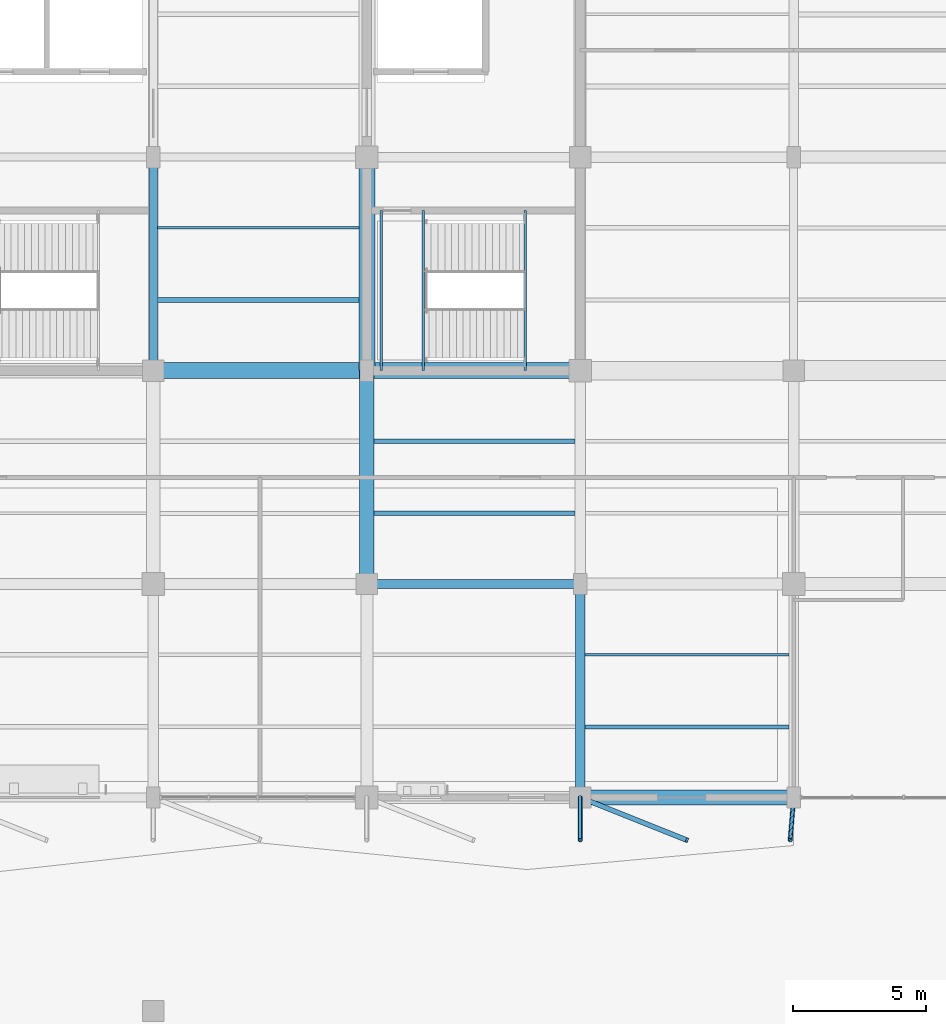
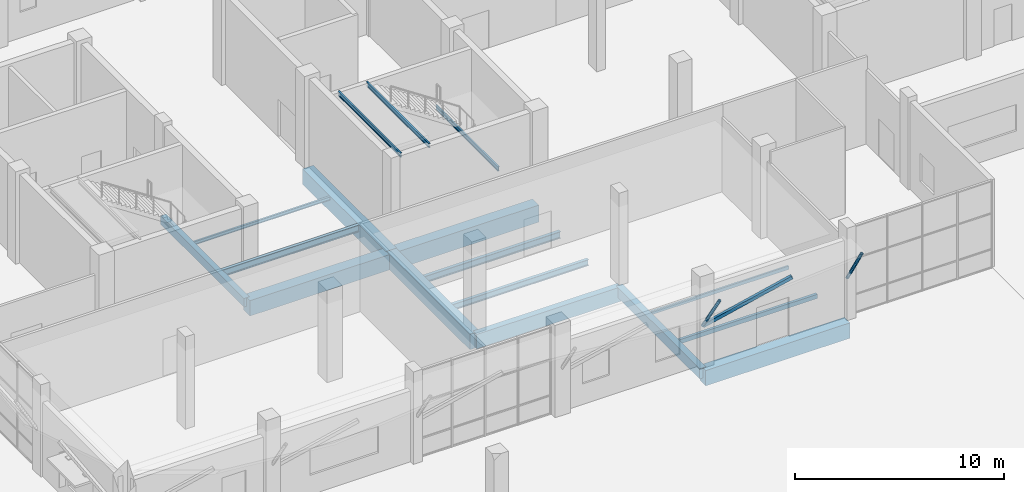
# One storey, part 36 of 123: 17 beams, 3 members.
"""IFC4 building model written with IfcOpenShell, lengths in metres."""

from ifc_helpers import new_model, si_unit, direction, frame, origin, origin_2d, place, context, subcontext, project, spatial, rectangle, hollow_rectangle, hollow_circle, i_section, extrude, material, material_profile, profile_set, type_object, element, save


model = new_model("IFC4")

# Units and contexts
model_context = context("Model", 3, precision=1e-05, world=origin(), true_north=direction((0.0, 1.0)))
body_context = subcontext(model_context, "Body", "Model", "MODEL_VIEW")
ifc_project = project(units=[si_unit("LENGTHUNIT", "METRE"), si_unit("AREAUNIT", "SQUARE_METRE"), si_unit("VOLUMEUNIT", "CUBIC_METRE"), si_unit("PLANEANGLEUNIT", "RADIAN"), si_unit("MASSUNIT", "GRAM", prefix="KILO")], contexts=[model_context])

# Site, building, storey
site_placement = place(None, origin())
site = spatial("IfcSite", under=ifc_project, at=site_placement, CompositionType="ELEMENT")
building_placement = place(site_placement, origin())
building = spatial("IfcBuilding", under=site, at=building_placement, Name="Tenunan Teduh Sports Hall", CompositionType="ELEMENT")
storey_placement = place(building_placement, origin())
storey = spatial("IfcBuildingStorey", under=building, at=storey_placement, Name="L00", CompositionType="ELEMENT", Elevation=0.0)

# Beams
ifc_material_1 = material(Name="Concrete C40/50", Category="concrete")
ifc_material_profile_1 = material_profile(ifc_material_1, rectangle(XDim=0.300048828125, YDim=0.5, at=origin_2d()), Name="RCB 300x500")
ifc_profile_set_1 = profile_set([ifc_material_profile_1], Name="Concrete C40/50")
beam_type_1 = type_object("IfcBeamType", Name="BM-RC-300x500", PredefinedType="BEAM", material=ifc_profile_set_1)
beam_1_placement = place(storey_placement, frame((22.0, 94.0, -0.530029296875), z_axis=(0.0, 1.0, 0.0), x_axis=(-1.0, 0.0, 0.0)))
element("IfcBeam", 1, at=beam_1_placement, inside=storey, type_object=beam_type_1, Name="BM-B-01-L00-0780", PredefinedType="BEAM", context=body_context, shape_type="SweptSolid", body=[
    extrude(rectangle(XDim=0.300048828125, YDim=0.5, at=origin_2d()), origin(), (0.0, 0.0, 1.0), 8.0),
])
ifc_material_2 = material(Name="Concrete C40/50", Category="concrete")
ifc_material_profile_2 = material_profile(ifc_material_2, rectangle(XDim=0.35009765625, YDim=0.60009765625, at=origin_2d()), Name="RCB 350x600")
ifc_profile_set_2 = profile_set([ifc_material_profile_2], Name="Concrete C40/50")
beam_type_2 = type_object("IfcBeamType", Name="BM-RC-350x600", PredefinedType="BEAM", material=ifc_profile_set_2)
beam_2_placement = place(storey_placement, frame((38.0, 78.0, -0.580078125), z_axis=(0.0, 1.0, 0.0), x_axis=(-1.0, 0.0, 0.0)))
element("IfcBeam", 2, at=beam_2_placement, inside=storey, type_object=beam_type_2, Name="BM-B-04-L00-0790", PredefinedType="BEAM", context=body_context, shape_type="SweptSolid", body=[
    extrude(rectangle(XDim=0.35009765625, YDim=0.60009765625, at=origin_2d()), origin(), (0.0, 0.0, 1.0), 8.0),
])
ifc_material_3 = material(Name="Concrete C40/50", Category="concrete")
ifc_material_profile_3 = material_profile(ifc_material_3, rectangle(XDim=0.550048828125, YDim=0.89990234375, at=origin_2d()), Name="RCB 550x900")
ifc_profile_set_3 = profile_set([ifc_material_profile_3], Name="Concrete C40/50")
beam_type_3 = type_object("IfcBeamType", Name="BM-RC-550x900", PredefinedType="BEAM", material=ifc_profile_set_3)
for number, where, z_axis, x_axis, name in (
    (3, (38.0, 78.0, -0.72998046875), (1.0, 0.0, 0.0), (0.0, 1.0, 0.0), "BM-B-16-L00-0678"),
    (4, (30.0, 86.0, -0.72998046875), (0.0, 1.0, 0.0), (-1.0, 0.0, 0.0), "BM-B-16-L00-0785"),
):
    element("IfcBeam", number, at=place(storey_placement, frame(where, z_axis=z_axis, x_axis=x_axis)), inside=storey, type_object=beam_type_3, Name=name, PredefinedType="BEAM", context=body_context, shape_type="SweptSolid", body=[
        extrude(rectangle(XDim=0.550048828125, YDim=0.89990234375, at=origin_2d()), origin(), (0.0, 0.0, 1.0), 8.0),
    ])
ifc_material_4 = material(Name="Concrete C40/50", Category="concrete")
ifc_material_profile_4 = material_profile(ifc_material_4, rectangle(XDim=0.60009765625, YDim=1.0, at=origin_2d()), Name="RCB 600x1000")
ifc_profile_set_4 = profile_set([ifc_material_profile_4], Name="Concrete C40/50")
beam_type_4 = type_object("IfcBeamType", Name="BM-RC-600x1000", PredefinedType="BEAM", material=ifc_profile_set_4)
beam_3_placement = place(storey_placement, frame((30.0, 94.0, -0.780029296875), z_axis=(1.0, 0.0, 0.0), x_axis=(0.0, 1.0, 0.0)))
element("IfcBeam", 5, at=beam_3_placement, inside=storey, type_object=beam_type_4, Name="BM-B-18-L00-0702", PredefinedType="BEAM", context=body_context, shape_type="SweptSolid", body=[
    extrude(rectangle(XDim=0.60009765625, YDim=1.0, at=origin_2d()), origin(), (0.0, 0.0, 1.0), 8.0),
])
ifc_material_5 = material(Name="Concrete C40/50", Category="concrete")
ifc_material_profile_5 = material_profile(ifc_material_5, rectangle(XDim=0.60009765625, YDim=0.89990234375, at=origin_2d()), Name="RCB 600x900")
ifc_profile_set_5 = profile_set([ifc_material_profile_5], Name="Concrete C40/50")
beam_type_5 = type_object("IfcBeamType", Name="BM-RC-600x900", PredefinedType="BEAM", material=ifc_profile_set_5)
for number, where, z_axis, x_axis, name in (
    (6, (22.0, 94.0, -0.72998046875), (1.0, 0.0, 0.0), (0.0, 1.0, 0.0), "BM-B-17-L00-0701"),
    (7, (30.0, 94.0, -0.72998046875), (0.0, 1.0, 0.0), (-1.0, 0.0, 0.0), "BM-B-17-L00-0786"),
):
    element("IfcBeam", number, at=place(storey_placement, frame(where, z_axis=z_axis, x_axis=x_axis)), inside=storey, type_object=beam_type_5, Name=name, PredefinedType="BEAM", context=body_context, shape_type="SweptSolid", body=[
        extrude(rectangle(XDim=0.60009765625, YDim=0.89990234375, at=origin_2d()), origin(), (0.0, 0.0, 1.0), 8.0),
    ])
ifc_material_6 = material(Name="Concrete C40/50", Category="concrete")
ifc_material_profile_6 = material_profile(ifc_material_6, rectangle(XDim=0.35009765625, YDim=0.85009765625, at=origin_2d()), Name="SPB 350x850")
ifc_profile_set_6 = profile_set([ifc_material_profile_6], Name="Concrete C40/50")
beam_type_6 = type_object("IfcBeamType", Name="BM-SP-350x850", PredefinedType="SPANDREL", material=ifc_profile_set_6)
beam_4_placement = place(storey_placement, frame((30.0, 86.0, -0.705078125), z_axis=(1.0, 0.0, 0.0), x_axis=(0.0, 1.0, 0.0)))
element("IfcBeam", 8, at=beam_4_placement, inside=storey, type_object=beam_type_6, Name="BM-SP-02-L00-0686", PredefinedType="SPANDREL", context=body_context, shape_type="SweptSolid", body=[
    extrude(rectangle(XDim=0.35009765625, YDim=0.85009765625, at=origin_2d()), origin(), (0.0, 0.0, 1.0), 8.0),
])
ifc_material_7 = material(Name="Steel S355", Category="steel")
ifc_material_profile_7 = material_profile(ifc_material_7, i_section(OverallWidth=0.10009765625, OverallDepth=0.199951171875, WebThickness=0.005615234375, FlangeThickness=0.008544921875, FilletRadius=0.011962890625, at=origin_2d()), Name="IPE 200")
ifc_profile_set_7 = profile_set([ifc_material_profile_7], Name="Steel S355")
beam_type_7 = type_object("IfcBeamType", Name="JST-IPE200", PredefinedType="JOIST", material=ifc_profile_set_7)
beam_5_placement = place(storey_placement, frame((22.14990234375, 99.35009765625, -0.3798828125), z_axis=(1.0, 0.0, 0.0), x_axis=(0.0, 1.0, 0.0)))
element("IfcBeam", 9, at=beam_5_placement, inside=storey, type_object=beam_type_7, Name="BM-J-01-L00-0919", PredefinedType="JOIST", context=body_context, shape_type="SweptSolid", body=[
    extrude(i_section(OverallWidth=0.10009765625, OverallDepth=0.199951171875, WebThickness=0.005615234375, FlangeThickness=0.008544921875, FilletRadius=0.011962890625, at=origin_2d()), origin(), (0.0, 0.0, 1.0), 7.550048828125),
])
ifc_material_8 = material(Name="Steel S355", Category="steel")
ifc_material_profile_8 = material_profile(ifc_material_8, i_section(OverallWidth=0.169921875, OverallDepth=0.360107421875, WebThickness=0.008056640625, FlangeThickness=0.0126953125, FilletRadius=0.01806640625, at=origin_2d()), Name="IPE 360")
ifc_profile_set_8 = profile_set([ifc_material_profile_8], Name="Steel S355")
beam_type_8 = type_object("IfcBeamType", Name="JST-IPE360", PredefinedType="JOIST", material=ifc_profile_set_8)
beam_6_placement = place(storey_placement, frame((30.27490234375, 88.64990234375, -0.4599609375), z_axis=(1.0, 0.0, 0.0), x_axis=(0.0, 1.0, 0.0)))
element("IfcBeam", 10, at=beam_6_placement, inside=storey, type_object=beam_type_8, Name="BM-J-05-L00-0928", PredefinedType="JOIST", context=body_context, shape_type="SweptSolid", body=[
    extrude(i_section(OverallWidth=0.169921875, OverallDepth=0.360107421875, WebThickness=0.008056640625, FlangeThickness=0.0126953125, FilletRadius=0.01806640625, at=origin_2d()), origin(), (0.0, 0.0, 1.0), 7.525146484375),
])
ifc_material_9 = material(Name="Steel S355", Category="steel")
ifc_material_profile_9 = material_profile(ifc_material_9, i_section(OverallWidth=0.179931640625, OverallDepth=0.39990234375, WebThickness=0.008544921875, FlangeThickness=0.013427734375, FilletRadius=0.02099609375, at=origin_2d()), Name="IPE 400")
ifc_profile_set_9 = profile_set([ifc_material_profile_9], Name="Steel S355")
beam_type_9 = type_object("IfcBeamType", Name="JST-IPE400", PredefinedType="JOIST", material=ifc_profile_set_9)
beam_7_placement = place(storey_placement, frame((22.14990234375, 96.64990234375, -0.47998046875), z_axis=(1.0, 0.0, 0.0), x_axis=(0.0, 1.0, 0.0)))
element("IfcBeam", 11, at=beam_7_placement, inside=storey, type_object=beam_type_9, Name="BM-J-06-L00-0918", PredefinedType="JOIST", context=body_context, shape_type="SweptSolid", body=[
    extrude(i_section(OverallWidth=0.179931640625, OverallDepth=0.39990234375, WebThickness=0.008544921875, FlangeThickness=0.013427734375, FilletRadius=0.02099609375, at=origin_2d()), origin(), (0.0, 0.0, 1.0), 7.550048828125),
])
beam_8_placement = place(storey_placement, frame((30.27490234375, 91.35009765625, -0.47998046875), z_axis=(1.0, 0.0, 0.0), x_axis=(0.0, 1.0, 0.0)))
element("IfcBeam", 12, at=beam_8_placement, inside=storey, type_object=beam_type_9, Name="BM-J-06-L00-0929", PredefinedType="JOIST", context=body_context, shape_type="SweptSolid", body=[
    extrude(i_section(OverallWidth=0.179931640625, OverallDepth=0.39990234375, WebThickness=0.008544921875, FlangeThickness=0.013427734375, FilletRadius=0.02099609375, at=origin_2d()), origin(), (0.0, 0.0, 1.0), 7.525146484375),
])

# Members
ifc_material_10 = material(Name="Steel S355", Category="steel")
ifc_material_profile_10 = material_profile(ifc_material_10, hollow_circle(Radius=0.084228515625, WallThickness=0.008056640625, at=origin_2d()), Name="CHS 168.3x8.0")
ifc_profile_set_10 = profile_set([ifc_material_profile_10], Name="Steel S355")
member_type_1 = type_object("IfcMemberType", Name="MEM-BR-CHS168", PredefinedType="BRACE", material=ifc_profile_set_10)
member_1_placement = place(storey_placement, frame((38.0, 78.0, 2.199951171875), z_axis=(0.0, -0.551511423487, 0.834167339186), x_axis=(1.0, 0.0, 0.0)))
element("IfcMember", 13, at=member_1_placement, inside=storey, type_object=member_type_1, Name="MEM-GD-04-L00-1129", PredefinedType="BRACE", context=body_context, shape_type="SweptSolid", body=[
    extrude(hollow_circle(Radius=0.084228515625, WallThickness=0.008056640625, at=origin_2d()), origin(), (0.0, 0.0, 1.0), 2.9013671875),
])
member_2_placement = place(storey_placement, frame((46.0, 78.0, 2.199951171875), z_axis=(-0.044722385245, -0.550959610708, 0.833332716043), x_axis=(0.996721760196, -0.080905702842, 0.0)))
element("IfcMember", 14, at=member_2_placement, inside=storey, type_object=member_type_1, Name="MEM-GD-04-L00-1131", PredefinedType="BRACE", context=body_context, shape_type="SweptSolid", body=[
    extrude(hollow_circle(Radius=0.084228515625, WallThickness=0.008056640625, at=origin_2d()), origin(), (0.0, 0.0, 1.0), 2.904296875),
])
ifc_material_11 = material(Name="Steel S355", Category="steel")
ifc_material_profile_11 = material_profile(ifc_material_11, hollow_rectangle(XDim=0.179931640625, YDim=0.179931640625, WallThickness=0.010009765625, at=origin_2d()), Name="SHS 180x180x10.0")
ifc_profile_set_11 = profile_set([ifc_material_profile_11], Name="Steel S355")
member_type_2 = type_object("IfcMemberType", Name="MEM-ST-SHS180", PredefinedType="STRUT", material=ifc_profile_set_11)
member_3_placement = place(storey_placement, frame((38.0, 78.0, 2.199951171875), z_axis=(0.809485829099, -0.323814094477, 0.489772523429), x_axis=(0.37141021739, 0.928468874232, 0.0)))
element("IfcMember", 15, at=member_3_placement, inside=storey, type_object=member_type_2, Name="MEM-VS-03-L00-1130", PredefinedType="STRUT", context=body_context, shape_type="SweptSolid", body=[
    extrude(hollow_rectangle(XDim=0.179931640625, YDim=0.179931640625, WallThickness=0.010009765625, at=origin_2d()), origin(), (0.0, 0.0, 1.0), 4.94140625),
])

# Beams
ifc_material_12 = material(Name="Steel S355", Category="steel")
ifc_material_profile_12 = material_profile(ifc_material_12, hollow_rectangle(XDim=0.10009765625, YDim=0.199951171875, WallThickness=0.008056640625, at=origin_2d()), Name="RHS 200x100x8.0")
ifc_profile_set_12 = profile_set([ifc_material_profile_12], Name="Steel S355")
beam_type_10 = type_object("IfcBeamType", Name="RBM-RHS200", PredefinedType="JOIST", material=ifc_profile_set_12)
beam_9_placement = place(storey_placement, frame((38.175048828125, 83.35009765625, -0.3798828125), z_axis=(1.0, 0.0, 0.0), x_axis=(0.0, 1.0, 0.0)))
element("IfcBeam", 16, at=beam_9_placement, inside=storey, type_object=beam_type_10, Name="Perimeter Ring Beam BM-RB-05-L00-0935", PredefinedType="JOIST", context=body_context, shape_type="SweptSolid", body=[
    extrude(hollow_rectangle(XDim=0.10009765625, YDim=0.199951171875, WallThickness=0.008056640625, at=origin_2d()), origin(), (0.0, 0.0, 1.0), 7.64990234375),
])
ifc_material_13 = material(Name="Steel S355", Category="steel")
ifc_material_profile_13 = material_profile(ifc_material_13, hollow_rectangle(XDim=0.14990234375, YDim=0.25, WallThickness=0.010009765625, at=origin_2d()), Name="RHS 250x150x10.0")
ifc_profile_set_13 = profile_set([ifc_material_profile_13], Name="Steel S355")
beam_type_11 = type_object("IfcBeamType", Name="RBM-RHS250", PredefinedType="BEAM", material=ifc_profile_set_13)
beam_10_placement = place(storey_placement, frame((38.175048828125, 80.64990234375, -0.405029296875), z_axis=(1.0, 0.0, 0.0), x_axis=(0.0, 1.0, 0.0)))
element("IfcBeam", 17, at=beam_10_placement, inside=storey, type_object=beam_type_11, Name="Perimeter Ring Beam BM-RB-04-L00-0934", PredefinedType="BEAM", context=body_context, shape_type="SweptSolid", body=[
    extrude(hollow_rectangle(XDim=0.14990234375, YDim=0.25, WallThickness=0.010009765625, at=origin_2d()), origin(), (0.0, 0.0, 1.0), 7.64990234375),
])
ifc_material_14 = material(Name="Steel S355", Category="steel")
ifc_material_profile_14 = material_profile(ifc_material_14, i_section(OverallWidth=0.090087890625, OverallDepth=0.260009765625, WebThickness=0.008056640625, FlangeThickness=0.013916015625, FilletRadius=0.011962890625, at=origin_2d()), Name="PFC 260x90")
ifc_profile_set_14 = profile_set([ifc_material_profile_14], Name="Steel S355")
beam_type_12 = type_object("IfcBeamType", Name="STR-BM-TRIM", PredefinedType="BEAM", material=ifc_profile_set_14)
for number, where, z_axis, x_axis, name in (
    (18, (35.945068359375, 94.0, 2.3701171875), (0.0, 1.0, 0.0), (-1.0, 0.0, 0.0), "BM-SS-02-W2-L00-M"),
    (19, (32.1201171875, 94.0, 5.070068359375), (0.0, 1.0, 0.0), (-1.0, 0.0, 0.0), "BM-SS-02-W2-L00-T"),
    (20, (30.550048828125, 94.0, 5.070068359375), (0.0, 1.0, 0.0), (-1.0, 0.0, 0.0), "BM-SS-02-W2-L00-TW"),
):
    element("IfcBeam", number, at=place(storey_placement, frame(where, z_axis=z_axis, x_axis=x_axis)), inside=storey, type_object=beam_type_12, Name=name, PredefinedType="BEAM", context=body_context, shape_type="SweptSolid", body=[
        extrude(i_section(OverallWidth=0.090087890625, OverallDepth=0.260009765625, WebThickness=0.008056640625, FlangeThickness=0.013916015625, FilletRadius=0.011962890625, at=origin_2d()), origin(), (0.0, 0.0, 1.0), 6.0),
    ])

save(model, "model.ifc")
